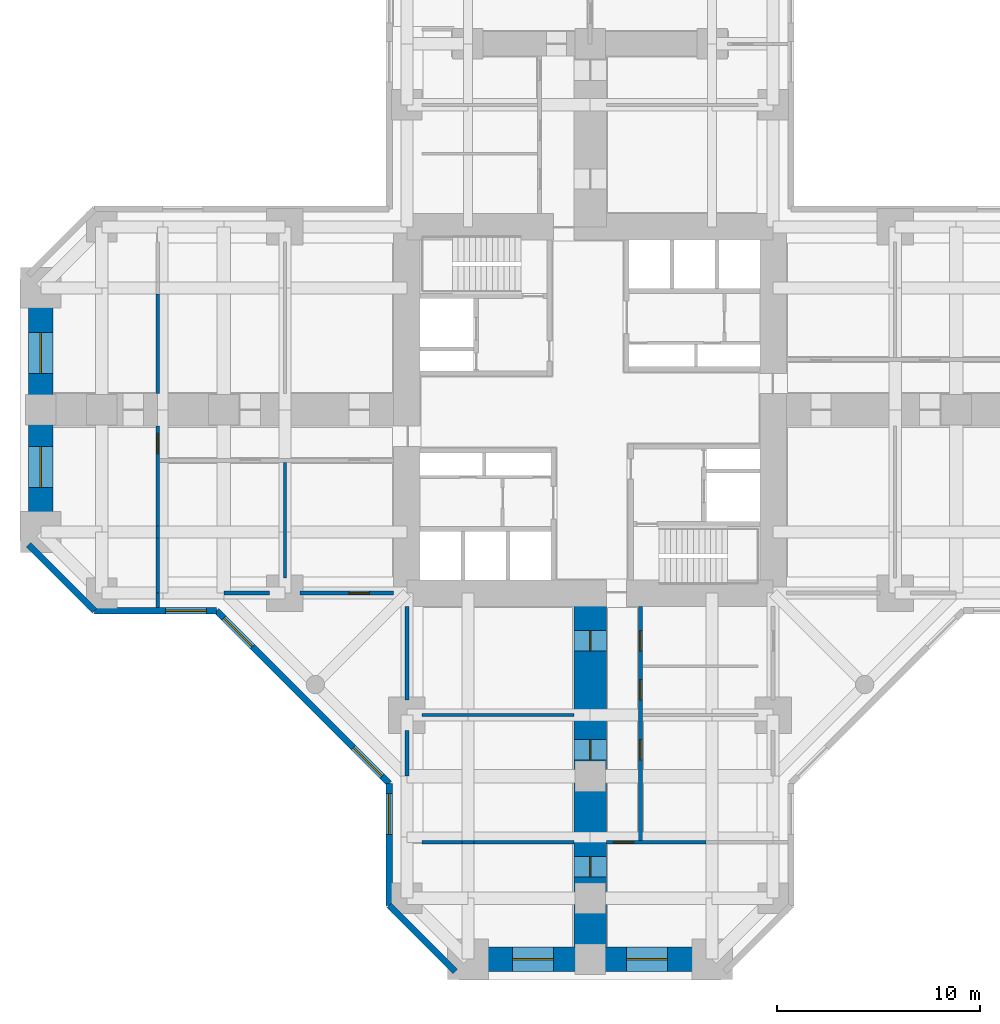
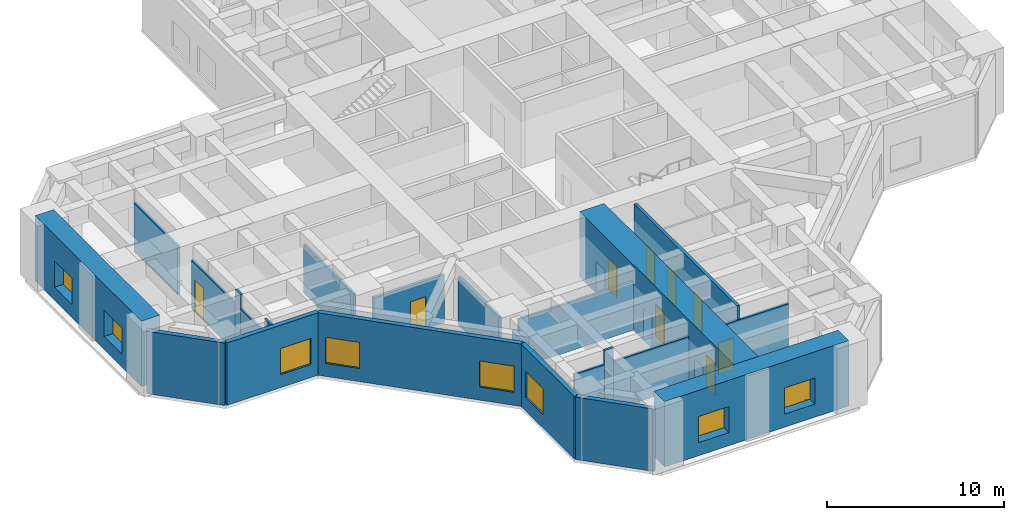
# One storey, part 3 of 8: 24 walls, 9 doors, 8 windows, 17 openings.
"""IFC4 building model written with IfcOpenShell, lengths in metres."""

from ifc_helpers import new_model, si_unit, direction, frame, frame_2d, origin, place, context, subcontext, project, spatial, rectangle, hollow_rectangle, extrude, material, layer, layer_set, constituent, constituent_set, type_object, element, fill, save


model = new_model("IFC4")

# Units and contexts
model_context = context("Model", 3, precision=1e-05, world=origin(), true_north=direction((0.0, 1.0)))
body_context = subcontext(model_context, "Body", "Model", "MODEL_VIEW")
ifc_project = project(units=[si_unit("LENGTHUNIT", "METRE"), si_unit("AREAUNIT", "SQUARE_METRE"), si_unit("VOLUMEUNIT", "CUBIC_METRE"), si_unit("PLANEANGLEUNIT", "RADIAN"), si_unit("MASSUNIT", "GRAM", prefix="KILO")], contexts=[model_context])

# Site, building, storey
site_placement = place(None, origin())
site = spatial("IfcSite", under=ifc_project, at=site_placement, CompositionType="ELEMENT")
building_placement = place(site_placement, origin())
building = spatial("IfcBuilding", under=site, at=building_placement, Name="Torre Cruceta", CompositionType="ELEMENT")
storey_placement = place(building_placement, frame((0.0, 0.0, 9.5)))
storey = spatial("IfcBuildingStorey", under=building, at=storey_placement, Name="L02", CompositionType="ELEMENT", Elevation=9.5)

# Wall, openings, doors
ifc_material_1 = material(Name="Concrete G25 (fck 25 MPa)", Category="concrete")
ifc_layer_1 = layer(ifc_material_1, 0.199951171875)
ifc_layer_set_1 = layer_set([ifc_layer_1], Name="Concrete G25 (fck 25 MPa)")
wall_type_1 = type_object("IfcWallType", Name="CORRIDOR WALL 200", PredefinedType="SOLIDWALL", material=ifc_layer_set_1)
wall_1_placement = place(storey_placement, frame((2.47509765625, -9.64990234375, 0.0), z_axis=(0.0, 0.0, 1.0), x_axis=(0.0, -1.0, 0.0)))
wall_1 = element("IfcWall", 1, at=wall_1_placement, inside=storey, type_object=wall_type_1, Name="PT3 L02-S-CL", PredefinedType="SOLIDWALL", context=body_context, shape_type="SweptSolid", body=[
    extrude(rectangle(XDim=11.60009765625, YDim=0.199951171875, at=frame_2d((5.800048828125, 0.0))), origin(), (0.0, 0.0, 1.0), 4.300048828125),
])
opening_1_placement = place(wall_1_placement, frame((1.199951171875, 0.0, 0.0)))
opening_1 = element("IfcOpeningElement", 2, at=opening_1_placement, cuts=wall_1, Name="Opening D14", PredefinedType="OPENING", context=body_context, shape_type="SweptSolid", body=[
    extrude(rectangle(XDim=1.0, YDim=2.199951171875, at=frame_2d((0.5, 1.10009765625))), frame((0.0, 0.10986328125, 0.0), z_axis=(0.0, -1.0, 0.0), x_axis=(1.0, 0.0, 0.0)), (0.0, 0.0, 1.0), 0.219970703125),
])
opening_2_placement = place(wall_1_placement, frame((3.60009765625, 0.0, 0.0)))
opening_2 = element("IfcOpeningElement", 3, at=opening_2_placement, cuts=wall_1, Name="Opening D14", PredefinedType="OPENING", context=body_context, shape_type="SweptSolid", body=[
    extrude(rectangle(XDim=1.0, YDim=2.199951171875, at=frame_2d((0.5, 1.10009765625))), frame((0.0, 0.10986328125, 0.0), z_axis=(0.0, -1.0, 0.0), x_axis=(1.0, 0.0, 0.0)), (0.0, 0.0, 1.0), 0.219970703125),
])
opening_3_placement = place(wall_1_placement, frame((6.550048828125, 0.0, 0.0)))
opening_3 = element("IfcOpeningElement", 4, at=opening_3_placement, cuts=wall_1, Name="Opening D14", PredefinedType="OPENING", context=body_context, shape_type="SweptSolid", body=[
    extrude(rectangle(XDim=1.0, YDim=2.199951171875, at=frame_2d((0.5, 1.10009765625))), frame((0.0, 0.10986328125, 0.0), z_axis=(0.0, -1.0, 0.0), x_axis=(1.0, 0.0, 0.0)), (0.0, 0.0, 1.0), 0.219970703125),
])
ifc_material_2 = material(Name="Steel DX51D", Category="steel")
ifc_constituent_1 = constituent(ifc_material_2, Name="Leaf and frame")
ifc_material_3 = material(Name="Polyester powder coating", Category="paint")
ifc_constituent_2 = constituent(ifc_material_3, Name="Finish")
ifc_material_4 = material(Name="Fire-resisting glass", Category="glass")
ifc_constituent_3 = constituent(ifc_material_4, Name="Vision panel")
ifc_constituent_set_1 = constituent_set(constituents=[ifc_constituent_1, ifc_constituent_2, ifc_constituent_3], Name="Steel fire door with vision panel")
door_type = type_object("IfcDoorType", Name="FIRE DOOR VISION PANEL 1000X2200", OperationType="SINGLE_SWING_RIGHT", PredefinedType="DOOR", material=ifc_constituent_set_1)
door_1_placement = place(opening_1_placement, origin())
door_1 = element("IfcDoor", 5, at=door_1_placement, inside=storey, type_object=door_type, Name="D14 L02-S-CL-D1", OperationType="SINGLE_SWING_RIGHT", OverallHeight=2.199951171875, OverallWidth=1.0, PredefinedType="DOOR", context=body_context, shape_type="SweptSolid", body=[
    extrude(rectangle(XDim=1.0, YDim=2.199951171875, at=frame_2d((0.5, 1.10009765625))), frame((0.0, 0.02490234375, 0.0), z_axis=(0.0, -1.0, 0.0), x_axis=(1.0, 0.0, 0.0)), (0.0, 0.0, 1.0), 0.050048828125),
])
fill(opening_1, door_1)
door_2_placement = place(opening_2_placement, origin())
door_2 = element("IfcDoor", 6, at=door_2_placement, inside=storey, type_object=door_type, Name="D14 L02-S-CL-D3", OperationType="SINGLE_SWING_LEFT", OverallHeight=2.199951171875, OverallWidth=1.0, PredefinedType="DOOR", context=body_context, shape_type="SweptSolid", body=[
    extrude(rectangle(XDim=1.0, YDim=2.199951171875, at=frame_2d((0.5, 1.10009765625))), frame((0.0, 0.02490234375, 0.0), z_axis=(0.0, -1.0, 0.0), x_axis=(1.0, 0.0, 0.0)), (0.0, 0.0, 1.0), 0.050048828125),
])
fill(opening_2, door_2)
door_3_placement = place(opening_3_placement, origin())
door_3 = element("IfcDoor", 7, at=door_3_placement, inside=storey, type_object=door_type, Name="D14 L02-S-CL-D2", OperationType="SINGLE_SWING_LEFT", OverallHeight=2.199951171875, OverallWidth=1.0, PredefinedType="DOOR", context=body_context, shape_type="SweptSolid", body=[
    extrude(rectangle(XDim=1.0, YDim=2.199951171875, at=frame_2d((0.5, 1.10009765625))), frame((0.0, 0.02490234375, 0.0), z_axis=(0.0, -1.0, 0.0), x_axis=(1.0, 0.0, 0.0)), (0.0, 0.0, 1.0), 0.050048828125),
])
fill(opening_3, door_3)

# Wall
ifc_material_5 = material(Name="Concrete G30 (fck 30 MPa)", Category="concrete")
ifc_layer_2 = layer(ifc_material_5, 0.300048828125)
ifc_layer_set_2 = layer_set([ifc_layer_2], Name="Concrete G30 (fck 30 MPa)")
wall_type_2 = type_object("IfcWallType", Name="EXPOSED CONCRETE FACADE WALL 300", PredefinedType="SOLIDWALL", material=ifc_layer_set_2)
wall_2_placement = place(storey_placement, frame((-27.60009765625, -6.63037109375, 0.0), z_axis=(0.0, 0.0, 1.0), x_axis=(0.707106781187, -0.707106781187, 0.0)))
element("IfcWall", 8, at=wall_2_placement, inside=storey, type_object=wall_type_2, Name="EW1 facade wall L02 W chamfer 13", PredefinedType="SOLIDWALL", context=body_context, shape_type="SweptSolid", body=[
    extrude(rectangle(XDim=4.581787109375, YDim=0.300048828125, at=frame_2d((2.291015625, 0.0))), origin(), (0.0, 0.0, 1.0), 4.300048828125),
])

# Wall, opening, window
wall_3_placement = place(storey_placement, frame((-24.3603515625, -9.8701171875, 0.0), z_axis=(0.0, 0.0, 1.0), x_axis=(1.0, 0.0, 0.0)))
wall_3 = element("IfcWall", 9, at=wall_3_placement, inside=storey, type_object=wall_type_2, Name="EW1 facade wall L02 W side 14", PredefinedType="SOLIDWALL", context=body_context, shape_type="SweptSolid", body=[
    extrude(rectangle(XDim=6.0, YDim=0.300048828125, at=frame_2d((3.0, 0.0))), origin(), (0.0, 0.0, 1.0), 4.300048828125),
])
opening_4_placement = place(wall_3_placement, frame((3.5, 0.0, 0.89990234375)))
opening_4 = element("IfcOpeningElement", 10, at=opening_4_placement, cuts=wall_3, Name="Opening WN1", PredefinedType="OPENING", context=body_context, shape_type="SweptSolid", body=[
    extrude(rectangle(XDim=2.0, YDim=1.800048828125, at=frame_2d((1.0, 0.89990234375))), frame((0.0, 0.159912109375, 0.0), z_axis=(0.0, -1.0, 0.0), x_axis=(1.0, 0.0, 0.0)), (0.0, 0.0, 1.0), 0.320068359375),
])
ifc_material_6 = material(Name="Aluminium window frame", Category="aluminium")
ifc_constituent_4 = constituent(ifc_material_6, Name="Frame")
ifc_material_7 = material(Name="Laminated insulating glass unit, low-iron clear", Category="glass")
ifc_constituent_5 = constituent(ifc_material_7, Name="Glazing")
ifc_constituent_set_2 = constituent_set(constituents=[ifc_constituent_4, ifc_constituent_5], Name="Aluminium window")
window_type = type_object("IfcWindowType", Name="SCHOOL WINDOW 2000X1800", PartitioningType="SINGLE_PANEL", PredefinedType="WINDOW", material=ifc_constituent_set_2)
window_1_placement = place(opening_4_placement, origin())
window_1 = element("IfcWindow", 11, at=window_1_placement, inside=storey, type_object=window_type, Name="WN1 L02 W 2", OverallHeight=1.800048828125, OverallWidth=2.0, PartitioningType="SINGLE_PANEL", PredefinedType="WINDOW", context=body_context, shape_type="SweptSolid", body=[
    extrude(hollow_rectangle(XDim=2.0, YDim=1.800048828125, WallThickness=0.06005859375, at=frame_2d((1.0, 0.89990234375))), frame((0.0, 0.030029296875, 0.0), z_axis=(0.0, -1.0, 0.0), x_axis=(1.0, 0.0, 0.0)), (0.0, 0.0, 1.0), 0.06005859375),
    extrude(rectangle(XDim=1.87890625, YDim=1.678955078125, at=frame_2d((1.0, 0.89990234375))), frame((0.0, 0.030029296875, 0.0), z_axis=(0.0, -1.0, 0.0), x_axis=(1.0, 0.0, 0.0)), (0.0, 0.0, 1.0), 0.06005859375),
])
fill(opening_4, window_1)

# Wall, openings, windows
wall_4_placement = place(storey_placement, frame((-18.3603515625, -9.8701171875, 0.0), z_axis=(0.0, 0.0, 1.0), x_axis=(0.707106781187, -0.707106781187, 0.0)))
wall_4 = element("IfcWall", 12, at=wall_4_placement, inside=storey, type_object=wall_type_2, Name="EW1 facade wall L02 W wing 15", PredefinedType="SOLIDWALL", context=body_context, shape_type="SweptSolid", body=[
    extrude(rectangle(XDim=12.007080078125, YDim=0.300048828125, at=frame_2d((6.00341796875, 0.0))), origin(), (0.0, 0.0, 1.0), 4.300048828125),
])
opening_5_placement = place(wall_4_placement, frame((0.5009765625, 0.0, 0.89990234375)))
opening_5 = element("IfcOpeningElement", 13, at=opening_5_placement, cuts=wall_4, Name="Opening WN1", PredefinedType="OPENING", context=body_context, shape_type="SweptSolid", body=[
    extrude(rectangle(XDim=2.0, YDim=1.800048828125, at=frame_2d((1.0, 0.89990234375))), frame((0.0, 0.159912109375, 0.0), z_axis=(0.0, -1.0, 0.0), x_axis=(1.0, 0.0, 0.0)), (0.0, 0.0, 1.0), 0.320068359375),
])
opening_6_placement = place(wall_4_placement, frame((9.50634765625, 0.0, 0.89990234375)))
opening_6 = element("IfcOpeningElement", 14, at=opening_6_placement, cuts=wall_4, Name="Opening WN1", PredefinedType="OPENING", context=body_context, shape_type="SweptSolid", body=[
    extrude(rectangle(XDim=2.0, YDim=1.800048828125, at=frame_2d((1.0, 0.89990234375))), frame((0.0, 0.159912109375, 0.0), z_axis=(0.0, -1.0, 0.0), x_axis=(1.0, 0.0, 0.0)), (0.0, 0.0, 1.0), 0.320068359375),
])
window_2_placement = place(opening_5_placement, origin())
window_2 = element("IfcWindow", 15, at=window_2_placement, inside=storey, type_object=window_type, Name="WN1 L02 W 1", OverallHeight=1.800048828125, OverallWidth=2.0, PartitioningType="SINGLE_PANEL", PredefinedType="WINDOW", context=body_context, shape_type="SweptSolid", body=[
    extrude(hollow_rectangle(XDim=2.0, YDim=1.800048828125, WallThickness=0.06005859375, at=frame_2d((1.0, 0.89990234375))), frame((0.0, 0.030029296875, 0.0), z_axis=(0.0, -1.0, 0.0), x_axis=(1.0, 0.0, 0.0)), (0.0, 0.0, 1.0), 0.06005859375),
    extrude(rectangle(XDim=1.87890625, YDim=1.678955078125, at=frame_2d((1.0, 0.89990234375))), frame((0.0, 0.030029296875, 0.0), z_axis=(0.0, -1.0, 0.0), x_axis=(1.0, 0.0, 0.0)), (0.0, 0.0, 1.0), 0.06005859375),
])
fill(opening_5, window_2)
window_3_placement = place(opening_6_placement, origin())
window_3 = element("IfcWindow", 16, at=window_3_placement, inside=storey, type_object=window_type, Name="WN1 L02 W 4", OverallHeight=1.800048828125, OverallWidth=2.0, PartitioningType="SINGLE_PANEL", PredefinedType="WINDOW", context=body_context, shape_type="SweptSolid", body=[
    extrude(hollow_rectangle(XDim=2.0, YDim=1.800048828125, WallThickness=0.06005859375, at=frame_2d((1.0, 0.89990234375))), frame((0.0, 0.030029296875, 0.0), z_axis=(0.0, -1.0, 0.0), x_axis=(1.0, 0.0, 0.0)), (0.0, 0.0, 1.0), 0.06005859375),
    extrude(rectangle(XDim=1.87890625, YDim=1.678955078125, at=frame_2d((1.0, 0.89990234375))), frame((0.0, 0.030029296875, 0.0), z_axis=(0.0, -1.0, 0.0), x_axis=(1.0, 0.0, 0.0)), (0.0, 0.0, 1.0), 0.06005859375),
])
fill(opening_6, window_3)

# Wall, opening, window
wall_5_placement = place(storey_placement, frame((-9.8701171875, -18.3603515625, 0.0), z_axis=(0.0, 0.0, 1.0), x_axis=(0.0, -1.0, 0.0)))
wall_5 = element("IfcWall", 17, at=wall_5_placement, inside=storey, type_object=wall_type_2, Name="EW1 facade wall L02 S side 16", PredefinedType="SOLIDWALL", context=body_context, shape_type="SweptSolid", body=[
    extrude(rectangle(XDim=6.0, YDim=0.300048828125, at=frame_2d((3.0, 0.0))), origin(), (0.0, 0.0, 1.0), 4.300048828125),
])
opening_7_placement = place(wall_5_placement, frame((0.5, 0.0, 0.89990234375)))
opening_7 = element("IfcOpeningElement", 18, at=opening_7_placement, cuts=wall_5, Name="Opening WN1", PredefinedType="OPENING", context=body_context, shape_type="SweptSolid", body=[
    extrude(rectangle(XDim=2.0, YDim=1.800048828125, at=frame_2d((1.0, 0.89990234375))), frame((0.0, 0.159912109375, 0.0), z_axis=(0.0, -1.0, 0.0), x_axis=(1.0, 0.0, 0.0)), (0.0, 0.0, 1.0), 0.320068359375),
])
window_4_placement = place(opening_7_placement, origin())
window_4 = element("IfcWindow", 19, at=window_4_placement, inside=storey, type_object=window_type, Name="WN1 L02 S 1", OverallHeight=1.800048828125, OverallWidth=2.0, PartitioningType="SINGLE_PANEL", PredefinedType="WINDOW", context=body_context, shape_type="SweptSolid", body=[
    extrude(hollow_rectangle(XDim=2.0, YDim=1.800048828125, WallThickness=0.06005859375, at=frame_2d((1.0, 0.89990234375))), frame((0.0, 0.030029296875, 0.0), z_axis=(0.0, -1.0, 0.0), x_axis=(1.0, 0.0, 0.0)), (0.0, 0.0, 1.0), 0.06005859375),
    extrude(rectangle(XDim=1.87890625, YDim=1.678955078125, at=frame_2d((1.0, 0.89990234375))), frame((0.0, 0.030029296875, 0.0), z_axis=(0.0, -1.0, 0.0), x_axis=(1.0, 0.0, 0.0)), (0.0, 0.0, 1.0), 0.06005859375),
])
fill(opening_7, window_4)

# Wall
wall_6_placement = place(storey_placement, frame((-9.8701171875, -24.3603515625, 0.0), z_axis=(0.0, 0.0, 1.0), x_axis=(0.707106781187, -0.707106781187, 0.0)))
element("IfcWall", 20, at=wall_6_placement, inside=storey, type_object=wall_type_2, Name="EW1 facade wall L02 S chamfer 17", PredefinedType="SOLIDWALL", context=body_context, shape_type="SweptSolid", body=[
    extrude(rectangle(XDim=4.581787109375, YDim=0.300048828125, at=frame_2d((2.291015625, 0.0))), origin(), (0.0, 0.0, 1.0), 4.300048828125),
])

# Wall, openings, windows
ifc_material_8 = material(Name="Concrete G60 (fck 60 MPa)", Category="concrete")
ifc_layer_3 = layer(ifc_material_8, 1.199951171875)
ifc_layer_set_3 = layer_set([ifc_layer_3], Name="Concrete G60 (fck 60 MPa)")
wall_type_3 = type_object("IfcWallType", Name="NOSE WALL 1200 G60", PredefinedType="SHEAR", material=ifc_layer_set_3)
wall_7_placement = place(storey_placement, frame((-6.0, -27.0, 0.0), z_axis=(0.0, 0.0, 1.0), x_axis=(1.0, 0.0, 0.0)))
wall_7 = element("IfcWall", 21, at=wall_7_placement, inside=storey, type_object=wall_type_3, Name="NW1 nose wall L02 S", PredefinedType="SHEAR", context=body_context, shape_type="SweptSolid", body=[
    extrude(rectangle(XDim=12.0, YDim=1.199951171875, at=frame_2d((6.0, 0.0))), origin(), (0.0, 0.0, 1.0), 4.5),
])
opening_8_placement = place(wall_7_placement, frame((2.199951171875, 0.0, 0.89990234375)))
opening_8 = element("IfcOpeningElement", 22, at=opening_8_placement, cuts=wall_7, Name="Opening WN1", PredefinedType="OPENING", context=body_context, shape_type="SweptSolid", body=[
    extrude(rectangle(XDim=2.0, YDim=1.800048828125, at=frame_2d((1.0, 0.89990234375))), frame((0.0, 0.60986328125, 0.0), z_axis=(0.0, -1.0, 0.0), x_axis=(1.0, 0.0, 0.0)), (0.0, 0.0, 1.0), 1.219970703125),
])
opening_9_placement = place(wall_7_placement, frame((7.800048828125, 0.0, 0.89990234375)))
opening_9 = element("IfcOpeningElement", 23, at=opening_9_placement, cuts=wall_7, Name="Opening WN1", PredefinedType="OPENING", context=body_context, shape_type="SweptSolid", body=[
    extrude(rectangle(XDim=2.0, YDim=1.800048828125, at=frame_2d((1.0, 0.89990234375))), frame((0.0, 0.60986328125, 0.0), z_axis=(0.0, -1.0, 0.0), x_axis=(1.0, 0.0, 0.0)), (0.0, 0.0, 1.0), 1.219970703125),
])
window_5_placement = place(opening_8_placement, origin())
window_5 = element("IfcWindow", 24, at=window_5_placement, inside=storey, type_object=window_type, Name="WN1 L02 S 1", OverallHeight=1.800048828125, OverallWidth=2.0, PartitioningType="SINGLE_PANEL", PredefinedType="WINDOW", context=body_context, shape_type="SweptSolid", body=[
    extrude(hollow_rectangle(XDim=2.0, YDim=1.800048828125, WallThickness=0.06005859375, at=frame_2d((1.0, 0.89990234375))), frame((0.0, 0.030029296875, 0.0), z_axis=(0.0, -1.0, 0.0), x_axis=(1.0, 0.0, 0.0)), (0.0, 0.0, 1.0), 0.06005859375),
    extrude(rectangle(XDim=1.87890625, YDim=1.678955078125, at=frame_2d((1.0, 0.89990234375))), frame((0.0, 0.030029296875, 0.0), z_axis=(0.0, -1.0, 0.0), x_axis=(1.0, 0.0, 0.0)), (0.0, 0.0, 1.0), 0.06005859375),
])
fill(opening_8, window_5)
window_6_placement = place(opening_9_placement, origin())
window_6 = element("IfcWindow", 25, at=window_6_placement, inside=storey, type_object=window_type, Name="WN1 L02 S 2", OverallHeight=1.800048828125, OverallWidth=2.0, PartitioningType="SINGLE_PANEL", PredefinedType="WINDOW", context=body_context, shape_type="SweptSolid", body=[
    extrude(hollow_rectangle(XDim=2.0, YDim=1.800048828125, WallThickness=0.06005859375, at=frame_2d((1.0, 0.89990234375))), frame((0.0, 0.030029296875, 0.0), z_axis=(0.0, -1.0, 0.0), x_axis=(1.0, 0.0, 0.0)), (0.0, 0.0, 1.0), 0.06005859375),
    extrude(rectangle(XDim=1.87890625, YDim=1.678955078125, at=frame_2d((1.0, 0.89990234375))), frame((0.0, 0.030029296875, 0.0), z_axis=(0.0, -1.0, 0.0), x_axis=(1.0, 0.0, 0.0)), (0.0, 0.0, 1.0), 0.06005859375),
])
fill(opening_9, window_6)

wall_8_placement = place(storey_placement, frame((-27.0, 6.0, 0.0), z_axis=(0.0, 0.0, 1.0), x_axis=(0.0, -1.0, 0.0)))
wall_8 = element("IfcWall", 26, at=wall_8_placement, inside=storey, type_object=wall_type_3, Name="NW1 nose wall L02 W", PredefinedType="SHEAR", context=body_context, shape_type="SweptSolid", body=[
    extrude(rectangle(XDim=12.0, YDim=1.199951171875, at=frame_2d((6.0, 0.0))), origin(), (0.0, 0.0, 1.0), 4.5),
])
opening_10_placement = place(wall_8_placement, frame((2.199951171875, 0.0, 0.89990234375)))
opening_10 = element("IfcOpeningElement", 27, at=opening_10_placement, cuts=wall_8, Name="Opening WN1", PredefinedType="OPENING", context=body_context, shape_type="SweptSolid", body=[
    extrude(rectangle(XDim=2.0, YDim=1.800048828125, at=frame_2d((1.0, 0.89990234375))), frame((0.0, 0.60986328125, 0.0), z_axis=(0.0, -1.0, 0.0), x_axis=(1.0, 0.0, 0.0)), (0.0, 0.0, 1.0), 1.219970703125),
])
opening_11_placement = place(wall_8_placement, frame((7.800048828125, 0.0, 0.89990234375)))
opening_11 = element("IfcOpeningElement", 28, at=opening_11_placement, cuts=wall_8, Name="Opening WN1", PredefinedType="OPENING", context=body_context, shape_type="SweptSolid", body=[
    extrude(rectangle(XDim=2.0, YDim=1.800048828125, at=frame_2d((1.0, 0.89990234375))), frame((0.0, 0.60986328125, 0.0), z_axis=(0.0, -1.0, 0.0), x_axis=(1.0, 0.0, 0.0)), (0.0, 0.0, 1.0), 1.219970703125),
])
window_7_placement = place(opening_10_placement, origin())
window_7 = element("IfcWindow", 29, at=window_7_placement, inside=storey, type_object=window_type, Name="WN1 L02 W 1", OverallHeight=1.800048828125, OverallWidth=2.0, PartitioningType="SINGLE_PANEL", PredefinedType="WINDOW", context=body_context, shape_type="SweptSolid", body=[
    extrude(hollow_rectangle(XDim=2.0, YDim=1.800048828125, WallThickness=0.06005859375, at=frame_2d((1.0, 0.89990234375))), frame((0.0, 0.030029296875, 0.0), z_axis=(0.0, -1.0, 0.0), x_axis=(1.0, 0.0, 0.0)), (0.0, 0.0, 1.0), 0.06005859375),
    extrude(rectangle(XDim=1.87890625, YDim=1.678955078125, at=frame_2d((1.0, 0.89990234375))), frame((0.0, 0.030029296875, 0.0), z_axis=(0.0, -1.0, 0.0), x_axis=(1.0, 0.0, 0.0)), (0.0, 0.0, 1.0), 0.06005859375),
])
fill(opening_10, window_7)
window_8_placement = place(opening_11_placement, origin())
window_8 = element("IfcWindow", 30, at=window_8_placement, inside=storey, type_object=window_type, Name="WN1 L02 W 2", OverallHeight=1.800048828125, OverallWidth=2.0, PartitioningType="SINGLE_PANEL", PredefinedType="WINDOW", context=body_context, shape_type="SweptSolid", body=[
    extrude(hollow_rectangle(XDim=2.0, YDim=1.800048828125, WallThickness=0.06005859375, at=frame_2d((1.0, 0.89990234375))), frame((0.0, 0.030029296875, 0.0), z_axis=(0.0, -1.0, 0.0), x_axis=(1.0, 0.0, 0.0)), (0.0, 0.0, 1.0), 0.06005859375),
    extrude(rectangle(XDim=1.87890625, YDim=1.678955078125, at=frame_2d((1.0, 0.89990234375))), frame((0.0, 0.030029296875, 0.0), z_axis=(0.0, -1.0, 0.0), x_axis=(1.0, 0.0, 0.0)), (0.0, 0.0, 1.0), 0.06005859375),
])
fill(opening_11, window_8)

# Walls
ifc_material_9 = material(Name="Plasterboard on steel studs", Category="steel")
ifc_layer_4 = layer(ifc_material_9, 0.14990234375)
ifc_layer_set_4 = layer_set([ifc_layer_4], Name="Plasterboard on steel studs")
wall_type_4 = type_object("IfcWallType", Name="PARTITION 150", PredefinedType="PARTITIONING", material=ifc_layer_set_4)
wall_9_placement = place(storey_placement, frame((-8.25, -15.0, 0.0), z_axis=(0.0, 0.0, 1.0), x_axis=(1.0, 0.0, 0.0)))
element("IfcWall", 31, at=wall_9_placement, inside=storey, type_object=wall_type_4, Name="PT1 L02-S-P1R", PredefinedType="PARTITIONING", context=body_context, shape_type="SweptSolid", body=[
    extrude(rectangle(XDim=7.449951171875, YDim=0.14990234375, at=frame_2d((3.72509765625, 0.0))), origin(), (0.0, 0.0, 1.0), 3.35009765625),
])
wall_10_placement = place(storey_placement, frame((-8.25, -21.25, 0.0), z_axis=(0.0, 0.0, 1.0), x_axis=(1.0, 0.0, 0.0)))
element("IfcWall", 32, at=wall_10_placement, inside=storey, type_object=wall_type_4, Name="PT1 L02-S-ENDa", PredefinedType="PARTITIONING", context=body_context, shape_type="SweptSolid", body=[
    extrude(rectangle(XDim=1.949951171875, YDim=0.14990234375, at=frame_2d((0.97509765625, 0.0))), origin(), (0.0, 0.0, 1.0), 3.35009765625),
])
wall_11_placement = place(storey_placement, frame((-6.300048828125, -21.25, 0.0), z_axis=(0.0, 0.0, 1.0), x_axis=(1.0, 0.0, 0.0)))
element("IfcWall", 33, at=wall_11_placement, inside=storey, type_object=wall_type_4, Name="PT1 L02-S-ENDa 2", PredefinedType="PARTITIONING", context=body_context, shape_type="SweptSolid", body=[
    extrude(rectangle(XDim=0.60009765625, YDim=0.14990234375, at=frame_2d((0.300048828125, 0.0))), origin(), (0.0, 0.0, 1.0), 4.300048828125),
])
wall_12_placement = place(storey_placement, frame((-5.699951171875, -21.25, 0.0), z_axis=(0.0, 0.0, 1.0), x_axis=(1.0, 0.0, 0.0)))
element("IfcWall", 34, at=wall_12_placement, inside=storey, type_object=wall_type_4, Name="PT1 L02-S-ENDa 3", PredefinedType="PARTITIONING", context=body_context, shape_type="SweptSolid", body=[
    extrude(rectangle(XDim=4.89990234375, YDim=0.14990234375, at=frame_2d((2.449951171875, 0.0))), origin(), (0.0, 0.0, 1.0), 3.35009765625),
])

# Wall, opening, door
wall_13_placement = place(storey_placement, frame((0.800048828125, -21.25, 0.0), z_axis=(0.0, 0.0, 1.0), x_axis=(1.0, 0.0, 0.0)))
wall_13 = element("IfcWall", 35, at=wall_13_placement, inside=storey, type_object=wall_type_4, Name="PT1 L02-S-ENDb", PredefinedType="PARTITIONING", context=body_context, shape_type="SweptSolid", body=[
    extrude(rectangle(XDim=4.89990234375, YDim=0.14990234375, at=frame_2d((2.449951171875, 0.0))), origin(), (0.0, 0.0, 1.0), 3.35009765625),
])
opening_12_placement = place(wall_13_placement, frame((0.35009765625, 0.0, 0.0)))
opening_12 = element("IfcOpeningElement", 36, at=opening_12_placement, cuts=wall_13, Name="Opening D14", PredefinedType="OPENING", context=body_context, shape_type="SweptSolid", body=[
    extrude(rectangle(XDim=1.0, YDim=2.199951171875, at=frame_2d((0.5, 1.10009765625))), frame((0.0, 0.0849609375, 0.0), z_axis=(0.0, -1.0, 0.0), x_axis=(1.0, 0.0, 0.0)), (0.0, 0.0, 1.0), 0.169921875),
])
door_4_placement = place(opening_12_placement, frame((1.0, 0.0, 0.0), z_axis=(0.0, 0.0, 1.0), x_axis=(-1.0, 0.0, 0.0)))
door_4 = element("IfcDoor", 37, at=door_4_placement, inside=storey, type_object=door_type, Name="D14 L02-S-ENDb-D1", OperationType="SINGLE_SWING_LEFT", OverallHeight=2.199951171875, OverallWidth=1.0, PredefinedType="DOOR", context=body_context, shape_type="SweptSolid", body=[
    extrude(rectangle(XDim=1.0, YDim=2.199951171875, at=frame_2d((0.5, 1.10009765625))), frame((0.0, 0.025146484375, 0.0), z_axis=(0.0, -1.0, 0.0), x_axis=(1.0, 0.0, 0.0)), (0.0, 0.0, 1.0), 0.050048828125),
])
fill(opening_12, door_4)

# Walls
wall_14_placement = place(storey_placement, frame((-15.0, -2.574951171875, 0.0), z_axis=(0.0, 0.0, 1.0), x_axis=(0.0, -1.0, 0.0)))
element("IfcWall", 38, at=wall_14_placement, inside=storey, type_object=wall_type_4, Name="PT1 L02-W-P1L", PredefinedType="PARTITIONING", context=body_context, shape_type="SweptSolid", body=[
    extrude(rectangle(XDim=5.675048828125, YDim=0.14990234375, at=frame_2d((2.83740234375, 0.0))), origin(), (0.0, 0.0, 1.0), 3.35009765625),
])
wall_15_placement = place(storey_placement, frame((-21.25, 5.699951171875, 0.0), z_axis=(0.0, 0.0, 1.0), x_axis=(0.0, -1.0, 0.0)))
element("IfcWall", 39, at=wall_15_placement, inside=storey, type_object=wall_type_4, Name="PT1 L02-W-ENDa 3", PredefinedType="PARTITIONING", context=body_context, shape_type="SweptSolid", body=[
    extrude(rectangle(XDim=4.89990234375, YDim=0.14990234375, at=frame_2d((2.449951171875, 0.0))), origin(), (0.0, 0.0, 1.0), 3.35009765625),
])

# Wall, opening, door
wall_16_placement = place(storey_placement, frame((-21.25, -0.800048828125, 0.0), z_axis=(0.0, 0.0, 1.0), x_axis=(0.0, -1.0, 0.0)))
wall_16 = element("IfcWall", 40, at=wall_16_placement, inside=storey, type_object=wall_type_4, Name="PT1 L02-W-ENDb", PredefinedType="PARTITIONING", context=body_context, shape_type="SweptSolid", body=[
    extrude(rectangle(XDim=4.89990234375, YDim=0.14990234375, at=frame_2d((2.449951171875, 0.0))), origin(), (0.0, 0.0, 1.0), 3.35009765625),
])
opening_13_placement = place(wall_16_placement, frame((0.35009765625, 0.0, 0.0)))
opening_13 = element("IfcOpeningElement", 41, at=opening_13_placement, cuts=wall_16, Name="Opening D14", PredefinedType="OPENING", context=body_context, shape_type="SweptSolid", body=[
    extrude(rectangle(XDim=1.0, YDim=2.199951171875, at=frame_2d((0.5, 1.10009765625))), frame((0.0, 0.0849609375, 0.0), z_axis=(0.0, -1.0, 0.0), x_axis=(1.0, 0.0, 0.0)), (0.0, 0.0, 1.0), 0.169921875),
])
door_5_placement = place(opening_13_placement, frame((1.0, 0.0, 0.0), z_axis=(0.0, 0.0, 1.0), x_axis=(-1.0, 0.0, 0.0)))
door_5 = element("IfcDoor", 42, at=door_5_placement, inside=storey, type_object=door_type, Name="D14 L02-W-ENDb-D1", OperationType="SINGLE_SWING_LEFT", OverallHeight=2.199951171875, OverallWidth=1.0, PredefinedType="DOOR", context=body_context, shape_type="SweptSolid", body=[
    extrude(rectangle(XDim=1.0, YDim=2.199951171875, at=frame_2d((0.5, 1.10009765625))), frame((0.0, 0.025146484375, 0.0), z_axis=(0.0, -1.0, 0.0), x_axis=(1.0, 0.0, 0.0)), (0.0, 0.0, 1.0), 0.050048828125),
])
fill(opening_13, door_5)

# Walls
wall_17_placement = place(storey_placement, frame((-21.25, -5.699951171875, 0.0), z_axis=(0.0, 0.0, 1.0), x_axis=(0.0, -1.0, 0.0)))
element("IfcWall", 43, at=wall_17_placement, inside=storey, type_object=wall_type_4, Name="PT1 L02-W-ENDb 2", PredefinedType="PARTITIONING", context=body_context, shape_type="SweptSolid", body=[
    extrude(rectangle(XDim=0.60009765625, YDim=0.14990234375, at=frame_2d((0.300048828125, 0.0))), origin(), (0.0, 0.0, 1.0), 4.300048828125),
])
wall_18_placement = place(storey_placement, frame((-21.25, -6.300048828125, 0.0), z_axis=(0.0, 0.0, 1.0), x_axis=(0.0, -1.0, 0.0)))
element("IfcWall", 44, at=wall_18_placement, inside=storey, type_object=wall_type_4, Name="PT1 L02-W-ENDb 3", PredefinedType="PARTITIONING", context=body_context, shape_type="SweptSolid", body=[
    extrude(rectangle(XDim=2.699951171875, YDim=0.14990234375, at=frame_2d((1.35009765625, 0.0))), origin(), (0.0, 0.0, 1.0), 3.35009765625),
])
wall_19_placement = place(storey_placement, frame((-21.25, -9.0, 0.0), z_axis=(0.0, 0.0, 1.0), x_axis=(0.0, -1.0, 0.0)))
element("IfcWall", 45, at=wall_19_placement, inside=storey, type_object=wall_type_4, Name="PT1 L02-W-ENDb 4", PredefinedType="PARTITIONING", context=body_context, shape_type="SweptSolid", body=[
    extrude(rectangle(XDim=0.719970703125, YDim=0.14990234375, at=frame_2d((0.35986328125, 0.0))), origin(), (0.0, 0.0, 1.0), 4.300048828125),
])

# Wall, openings, doors
ifc_material_10 = material(Name="Concrete G60 (fck 60 MPa)", Category="concrete")
ifc_layer_5 = layer(ifc_material_10, 1.60009765625)
ifc_layer_set_5 = layer_set([ifc_layer_5], Name="Concrete G60 (fck 60 MPa)")
wall_type_5 = type_object("IfcWallType", Name="SPINE WALL 1600 G60", PredefinedType="SHEAR", material=ifc_layer_set_5)
wall_20_placement = place(storey_placement, frame((0.0, -9.0, 0.0), z_axis=(0.0, 0.0, 1.0), x_axis=(0.0, -1.0, 0.0)))
wall_20 = element("IfcWall", 46, at=wall_20_placement, inside=storey, type_object=wall_type_5, Name="SW2 spine wall L02 S", PredefinedType="SHEAR", context=body_context, shape_type="SweptSolid", body=[
    extrude(rectangle(XDim=18.0, YDim=1.60009765625, at=frame_2d((9.0, 0.0))), origin(), (0.0, 0.0, 1.0), 4.5),
])
opening_14_placement = place(wall_20_placement, frame((1.85009765625, 0.0, 0.0)))
opening_14 = element("IfcOpeningElement", 47, at=opening_14_placement, cuts=wall_20, Name="Opening D14", PredefinedType="OPENING", context=body_context, shape_type="SweptSolid", body=[
    extrude(rectangle(XDim=1.0, YDim=2.199951171875, at=frame_2d((0.5, 1.10009765625))), frame((0.0, 0.81005859375, 0.0), z_axis=(0.0, -1.0, 0.0), x_axis=(1.0, 0.0, 0.0)), (0.0, 0.0, 1.0), 1.6201171875),
])
opening_15_placement = place(wall_20_placement, frame((7.199951171875, 0.0, 0.0)))
opening_15 = element("IfcOpeningElement", 48, at=opening_15_placement, cuts=wall_20, Name="Opening D14", PredefinedType="OPENING", context=body_context, shape_type="SweptSolid", body=[
    extrude(rectangle(XDim=1.0, YDim=2.199951171875, at=frame_2d((0.5, 1.10009765625))), frame((0.0, 0.81005859375, 0.0), z_axis=(0.0, -1.0, 0.0), x_axis=(1.0, 0.0, 0.0)), (0.0, 0.0, 1.0), 1.6201171875),
])
opening_16_placement = place(wall_20_placement, frame((12.949951171875, 0.0, 0.0)))
opening_16 = element("IfcOpeningElement", 49, at=opening_16_placement, cuts=wall_20, Name="Opening D14", PredefinedType="OPENING", context=body_context, shape_type="SweptSolid", body=[
    extrude(rectangle(XDim=1.0, YDim=2.199951171875, at=frame_2d((0.5, 1.10009765625))), frame((0.0, 0.81005859375, 0.0), z_axis=(0.0, -1.0, 0.0), x_axis=(1.0, 0.0, 0.0)), (0.0, 0.0, 1.0), 1.6201171875),
])
door_6_placement = place(opening_14_placement, frame((1.0, 0.0, 0.0), z_axis=(0.0, 0.0, 1.0), x_axis=(-1.0, 0.0, 0.0)))
door_6 = element("IfcDoor", 50, at=door_6_placement, inside=storey, type_object=door_type, Name="D14 L02-S-SP1", OperationType="SINGLE_SWING_RIGHT", OverallHeight=2.199951171875, OverallWidth=1.0, PredefinedType="DOOR", context=body_context, shape_type="SweptSolid", body=[
    extrude(rectangle(XDim=1.0, YDim=2.199951171875, at=frame_2d((0.5, 1.10009765625))), frame((0.0, 0.025146484375, 0.0), z_axis=(0.0, -1.0, 0.0), x_axis=(1.0, 0.0, 0.0)), (0.0, 0.0, 1.0), 0.050048828125),
])
fill(opening_14, door_6)
door_7_placement = place(opening_15_placement, frame((1.0, 0.0, 0.0), z_axis=(0.0, 0.0, 1.0), x_axis=(-1.0, 0.0, 0.0)))
door_7 = element("IfcDoor", 51, at=door_7_placement, inside=storey, type_object=door_type, Name="D14 L02-S-SP2", OperationType="SINGLE_SWING_RIGHT", OverallHeight=2.199951171875, OverallWidth=1.0, PredefinedType="DOOR", context=body_context, shape_type="SweptSolid", body=[
    extrude(rectangle(XDim=1.0, YDim=2.199951171875, at=frame_2d((0.5, 1.10009765625))), frame((0.0, 0.025146484375, 0.0), z_axis=(0.0, -1.0, 0.0), x_axis=(1.0, 0.0, 0.0)), (0.0, 0.0, 1.0), 0.050048828125),
])
fill(opening_15, door_7)
door_8_placement = place(opening_16_placement, origin())
door_8 = element("IfcDoor", 52, at=door_8_placement, inside=storey, type_object=door_type, Name="D14 L02-S-SP3", OperationType="SINGLE_SWING_RIGHT", OverallHeight=2.199951171875, OverallWidth=1.0, PredefinedType="DOOR", context=body_context, shape_type="SweptSolid", body=[
    extrude(rectangle(XDim=1.0, YDim=2.199951171875, at=frame_2d((0.5, 1.10009765625))), frame((0.0, 0.02490234375, 0.0), z_axis=(0.0, -1.0, 0.0), x_axis=(1.0, 0.0, 0.0)), (0.0, 0.0, 1.0), 0.050048828125),
])
fill(opening_16, door_8)

# Wall, opening, door
ifc_material_11 = material(Name="Concrete G25 (fck 25 MPa)", Category="concrete")
ifc_layer_6 = layer(ifc_material_11, 0.199951171875)
ifc_layer_set_6 = layer_set([ifc_layer_6], Name="Concrete G25 (fck 25 MPa)")
wall_type_6 = type_object("IfcWallType", Name="WING SEPARATING WALL 200", PredefinedType="SOLIDWALL", material=ifc_layer_set_6)
wall_21_placement = place(storey_placement, frame((-9.64990234375, -9.0, 0.0), z_axis=(0.0, 0.0, 1.0), x_axis=(-1.0, 0.0, 0.0)))
wall_21 = element("IfcWall", 53, at=wall_21_placement, inside=storey, type_object=wall_type_6, Name="PT6 L02-WING-W-A1", PredefinedType="SOLIDWALL", context=body_context, shape_type="SweptSolid", body=[
    extrude(rectangle(XDim=4.60009765625, YDim=0.199951171875, at=frame_2d((2.300048828125, 0.0))), origin(), (0.0, 0.0, 1.0), 3.300048828125),
])
opening_17_placement = place(wall_21_placement, frame((1.199951171875, 0.0, 0.0)))
opening_17 = element("IfcOpeningElement", 54, at=opening_17_placement, cuts=wall_21, Name="Opening D14", PredefinedType="OPENING", context=body_context, shape_type="SweptSolid", body=[
    extrude(rectangle(XDim=1.0, YDim=2.199951171875, at=frame_2d((0.5, 1.10009765625))), frame((0.0, 0.10986328125, 0.0), z_axis=(0.0, -1.0, 0.0), x_axis=(1.0, 0.0, 0.0)), (0.0, 0.0, 1.0), 0.219970703125),
])
door_9_placement = place(opening_17_placement, origin())
door_9 = element("IfcDoor", 55, at=door_9_placement, inside=storey, type_object=door_type, Name="D14 L02-WING-W-A1-D1", OperationType="SINGLE_SWING_LEFT", OverallHeight=2.199951171875, OverallWidth=1.0, PredefinedType="DOOR", context=body_context, shape_type="SweptSolid", body=[
    extrude(rectangle(XDim=1.0, YDim=2.199951171875, at=frame_2d((0.5, 1.10009765625))), frame((0.0, 0.02490234375, 0.0), z_axis=(0.0, -1.0, 0.0), x_axis=(1.0, 0.0, 0.0)), (0.0, 0.0, 1.0), 0.050048828125),
])
fill(opening_17, door_9)

# Walls
wall_22_placement = place(storey_placement, frame((-15.75, -9.0, 0.0), z_axis=(0.0, 0.0, 1.0), x_axis=(-1.0, 0.0, 0.0)))
element("IfcWall", 56, at=wall_22_placement, inside=storey, type_object=wall_type_6, Name="PT6 L02-WING-W-A2", PredefinedType="SOLIDWALL", context=body_context, shape_type="SweptSolid", body=[
    extrude(rectangle(XDim=2.25, YDim=0.199951171875, at=frame_2d((1.125, 0.0))), origin(), (0.0, 0.0, 1.0), 3.300048828125),
])
wall_23_placement = place(storey_placement, frame((-9.0, -14.25, 0.0), z_axis=(0.0, 0.0, 1.0), x_axis=(0.0, 1.0, 0.0)))
element("IfcWall", 57, at=wall_23_placement, inside=storey, type_object=wall_type_6, Name="PT6 L02-WING-W-B1", PredefinedType="SOLIDWALL", context=body_context, shape_type="SweptSolid", body=[
    extrude(rectangle(XDim=4.60009765625, YDim=0.199951171875, at=frame_2d((2.300048828125, 0.0))), origin(), (0.0, 0.0, 1.0), 3.300048828125),
])
wall_24_placement = place(storey_placement, frame((-9.0, -18.0, 0.0), z_axis=(0.0, 0.0, 1.0), x_axis=(0.0, 1.0, 0.0)))
element("IfcWall", 58, at=wall_24_placement, inside=storey, type_object=wall_type_6, Name="PT6 L02-WING-W-B2", PredefinedType="SOLIDWALL", context=body_context, shape_type="SweptSolid", body=[
    extrude(rectangle(XDim=2.25, YDim=0.199951171875, at=frame_2d((1.125, 0.0))), origin(), (0.0, 0.0, 1.0), 3.300048828125),
])

save(model, "model.ifc")
